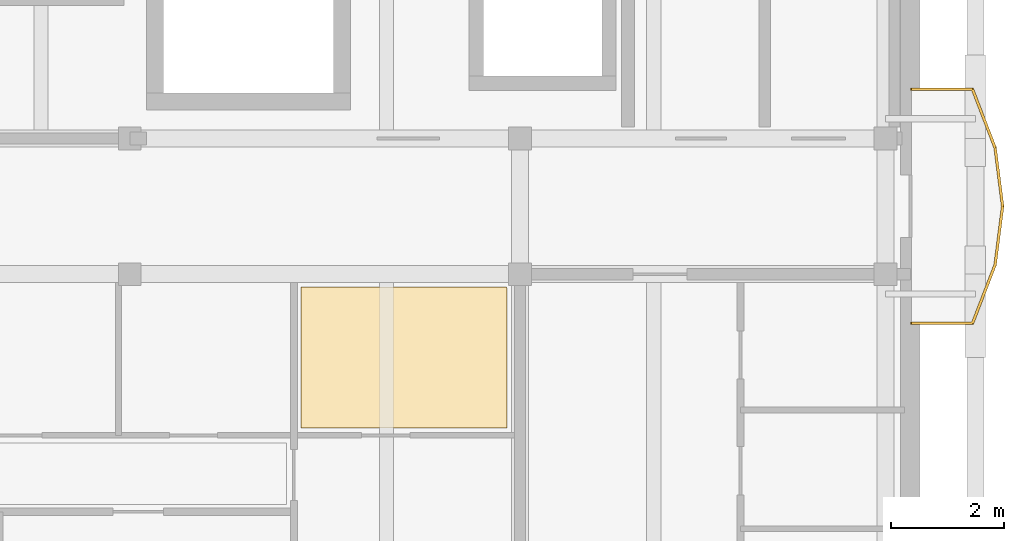
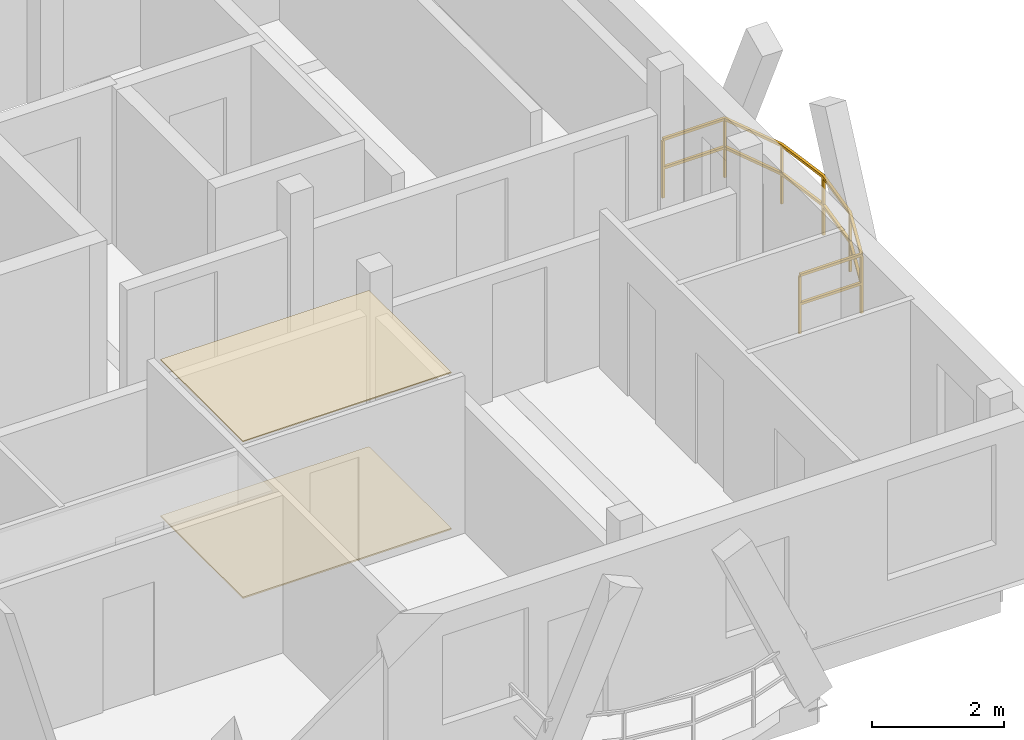
# One storey, part 7 of 7: 2 coverings, 1 railing.
"""IFC4 building model written with IfcOpenShell, lengths in metres."""

from ifc_helpers import new_model, si_unit, direction, frame, origin, origin_2d, place, context, subcontext, project, spatial, polyline, rectangle, outline, extrude, material, layer, layer_set, type_object, element, save


model = new_model("IFC4")

# Units and contexts
model_context = context("Model", 3, precision=1e-05, world=origin(), true_north=direction((0.0, 1.0)))
body_context = subcontext(model_context, "Body", "Model", "MODEL_VIEW")
ifc_project = project(units=[si_unit("LENGTHUNIT", "METRE"), si_unit("AREAUNIT", "SQUARE_METRE"), si_unit("VOLUMEUNIT", "CUBIC_METRE"), si_unit("PLANEANGLEUNIT", "RADIAN"), si_unit("MASSUNIT", "GRAM", prefix="KILO")], contexts=[model_context])

# Site, building, storey
site_placement = place(None, origin())
site = spatial("IfcSite", under=ifc_project, at=site_placement, CompositionType="ELEMENT")
building_placement = place(site_placement, origin())
building = spatial("IfcBuilding", under=site, at=building_placement, Name="Zavelmont Quarter", CompositionType="ELEMENT")
storey_placement = place(building_placement, frame((0.0, 0.0, 46.39990234375)))
storey = spatial("IfcBuildingStorey", under=building, at=storey_placement, Name="L14", CompositionType="ELEMENT", Elevation=46.39990234375)

# Coverings
ifc_material_1 = material(Name="Moisture-resistant painted gypsum ceiling")
ifc_layer_1 = layer(ifc_material_1, 0.02001953125)
ifc_layer_set_1 = layer_set([ifc_layer_1], Name="Moisture-resistant painted gypsum ceiling")
covering_type_1 = type_object("IfcCoveringType", Name="CV-CL04", PredefinedType="CEILING", material=ifc_layer_set_1)
covering_1_placement = place(storey_placement, frame((0.0, 0.0, 2.89013671875)))
element("IfcCovering", 1, at=covering_1_placement, inside=storey, type_object=covering_type_1, Name="L14 Bathroom acoustic ceiling", PredefinedType="CEILING", context=body_context, shape_type="SweptSolid", body=[
    extrude(outline(polyline([(30.6298828125, 7.77001953125), (34.260009765625, 7.77001953125), (34.260009765625, 7.760009765625), (34.27001953125, 7.760009765625), (34.27001953125, 5.280029296875), (30.6298828125, 5.280029296875), (30.6298828125, 7.77001953125)])), origin(), (0.0, 0.0, 1.0), 0.02001953125),
])
ifc_material_2 = material(Name="Slip-resistant porcelain tile")
ifc_layer_2 = layer(ifc_material_2, 0.02587890625)
ifc_layer_set_2 = layer_set([ifc_layer_2], Name="Slip-resistant porcelain tile")
covering_type_2 = type_object("IfcCoveringType", Name="CV-FL04", PredefinedType="FLOORING", material=ifc_layer_set_2)
covering_2_placement = place(storey_placement, origin())
element("IfcCovering", 2, at=covering_2_placement, inside=storey, type_object=covering_type_2, Name="L14 Bathroom floor finish", PredefinedType="FLOORING", context=body_context, shape_type="SweptSolid", body=[
    extrude(outline(polyline([(30.6298828125, 7.77001953125), (34.260009765625, 7.77001953125), (34.260009765625, 7.760009765625), (34.27001953125, 7.760009765625), (34.27001953125, 5.280029296875), (30.6298828125, 5.280029296875), (30.6298828125, 7.77001953125)])), origin(), (0.0, 0.0, 1.0), 0.026123046875),
])

# Railing
ifc_material_3 = material(Name="Powder-coated steel and tempered double safety glass", Category="steel")
railing_type = type_object("IfcRailingType", Name="RL-BAL1", PredefinedType="BALUSTRADE", material=ifc_material_3)
railing_placement = place(storey_placement, frame((41.419921875, 7.132568359375, 0.0)))
element("IfcRailing", 3, at=railing_placement, inside=storey, type_object=railing_type, Name="L14 Block A curved balcony guard RL-BAL1", PredefinedType="BALUSTRADE", context=body_context, shape_type="SweptSolid", body=[
    extrude(rectangle(XDim=0.048095703125, YDim=0.048095703125, at=origin_2d()), frame((0.0, 0.0, 1.076171875), z_axis=(1.0, 0.0, 0.0), x_axis=(0.0, 1.0, 0.0)), (0.0, 0.0, 1.0), 1.080078125),
    extrude(rectangle(XDim=0.048095703125, YDim=0.048095703125, at=origin_2d()), frame((0.0, 0.0, 0.550048828125), z_axis=(1.0, 0.0, 0.0), x_axis=(0.0, 1.0, 0.0)), (0.0, 0.0, 1.0), 1.080078125),
    extrude(rectangle(XDim=0.048095703125, YDim=0.048095703125, at=origin_2d()), frame((1.080078125, 0.0, 1.076171875), z_axis=(0.36004194902, 0.932936115147, 0.0), x_axis=(-0.932936115147, 0.36004194902, 0.0)), (0.0, 0.0, 1.0), 1.10791015625),
    extrude(rectangle(XDim=0.048095703125, YDim=0.048095703125, at=origin_2d()), frame((1.080078125, 0.0, 0.550048828125), z_axis=(0.36004194902, 0.932936115147, 0.0), x_axis=(-0.932936115147, 0.36004194902, 0.0)), (0.0, 0.0, 1.0), 1.10791015625),
    extrude(rectangle(XDim=0.048095703125, YDim=0.048095703125, at=origin_2d()), frame((1.47900390625, 1.03369140625, 1.076171875), z_axis=(0.127666589989, 0.991817141312, 0.0), x_axis=(-0.991817141312, 0.127666589989, 0.0)), (0.0, 0.0, 1.0), 1.042236328125),
    extrude(rectangle(XDim=0.048095703125, YDim=0.048095703125, at=origin_2d()), frame((1.47900390625, 1.03369140625, 0.550048828125), z_axis=(0.127666589989, 0.991817141312, 0.0), x_axis=(-0.991817141312, 0.127666589989, 0.0)), (0.0, 0.0, 1.0), 1.042236328125),
    extrude(rectangle(XDim=0.048095703125, YDim=0.048095703125, at=origin_2d()), frame((1.612060546875, 2.0673828125, 1.076171875), z_axis=(-0.127666589989, 0.991817141312, 0.0), x_axis=(-0.991817141312, -0.127666589989, 0.0)), (0.0, 0.0, 1.0), 1.042236328125),
    extrude(rectangle(XDim=0.048095703125, YDim=0.048095703125, at=origin_2d()), frame((1.612060546875, 2.0673828125, 0.550048828125), z_axis=(-0.127666589989, 0.991817141312, 0.0), x_axis=(-0.991817141312, -0.127666589989, 0.0)), (0.0, 0.0, 1.0), 1.042236328125),
    extrude(rectangle(XDim=0.048095703125, YDim=0.048095703125, at=origin_2d()), frame((1.47900390625, 3.10107421875, 1.076171875), z_axis=(-0.359967950431, 0.932964669568, 0.0), x_axis=(-0.932964669568, -0.359967950431, 0.0)), (0.0, 0.0, 1.0), 1.108154296875),
    extrude(rectangle(XDim=0.048095703125, YDim=0.048095703125, at=origin_2d()), frame((1.47900390625, 3.10107421875, 0.550048828125), z_axis=(-0.359967950431, 0.932964669568, 0.0), x_axis=(-0.932964669568, -0.359967950431, 0.0)), (0.0, 0.0, 1.0), 1.108154296875),
    extrude(rectangle(XDim=0.048095703125, YDim=0.048095703125, at=origin_2d()), frame((1.080078125, 4.135009765625, 1.076171875), z_axis=(-1.0, 0.0, 0.0), x_axis=(0.0, -1.0, 0.0)), (0.0, 0.0, 1.0), 1.080078125),
    extrude(rectangle(XDim=0.048095703125, YDim=0.048095703125, at=origin_2d()), frame((1.080078125, 4.135009765625, 0.550048828125), z_axis=(-1.0, 0.0, 0.0), x_axis=(0.0, -1.0, 0.0)), (0.0, 0.0, 1.0), 1.080078125),
    extrude(rectangle(XDim=0.0419921875, YDim=0.0419921875, at=origin_2d()), origin(), (0.0, 0.0, 1.0), 1.052001953125),
    extrude(rectangle(XDim=0.0419921875, YDim=0.0419921875, at=origin_2d()), frame((1.080078125, 0.0, 0.0)), (0.0, 0.0, 1.0), 1.052001953125),
    extrude(rectangle(XDim=0.0419921875, YDim=0.0419921875, at=origin_2d()), frame((1.47900390625, 1.03369140625, 0.0)), (0.0, 0.0, 1.0), 1.052001953125),
    extrude(rectangle(XDim=0.0419921875, YDim=0.0419921875, at=origin_2d()), frame((1.612060546875, 2.0673828125, 0.0)), (0.0, 0.0, 1.0), 1.052001953125),
    extrude(rectangle(XDim=0.0419921875, YDim=0.0419921875, at=origin_2d()), frame((1.47900390625, 3.10107421875, 0.0)), (0.0, 0.0, 1.0), 1.052001953125),
    extrude(rectangle(XDim=0.0419921875, YDim=0.0419921875, at=origin_2d()), frame((1.080078125, 4.135009765625, 0.0)), (0.0, 0.0, 1.0), 1.052001953125),
    extrude(rectangle(XDim=0.0419921875, YDim=0.0419921875, at=origin_2d()), frame((0.0, 4.135009765625, 0.0)), (0.0, 0.0, 1.0), 1.052001953125),
])

save(model, "model.ifc")
